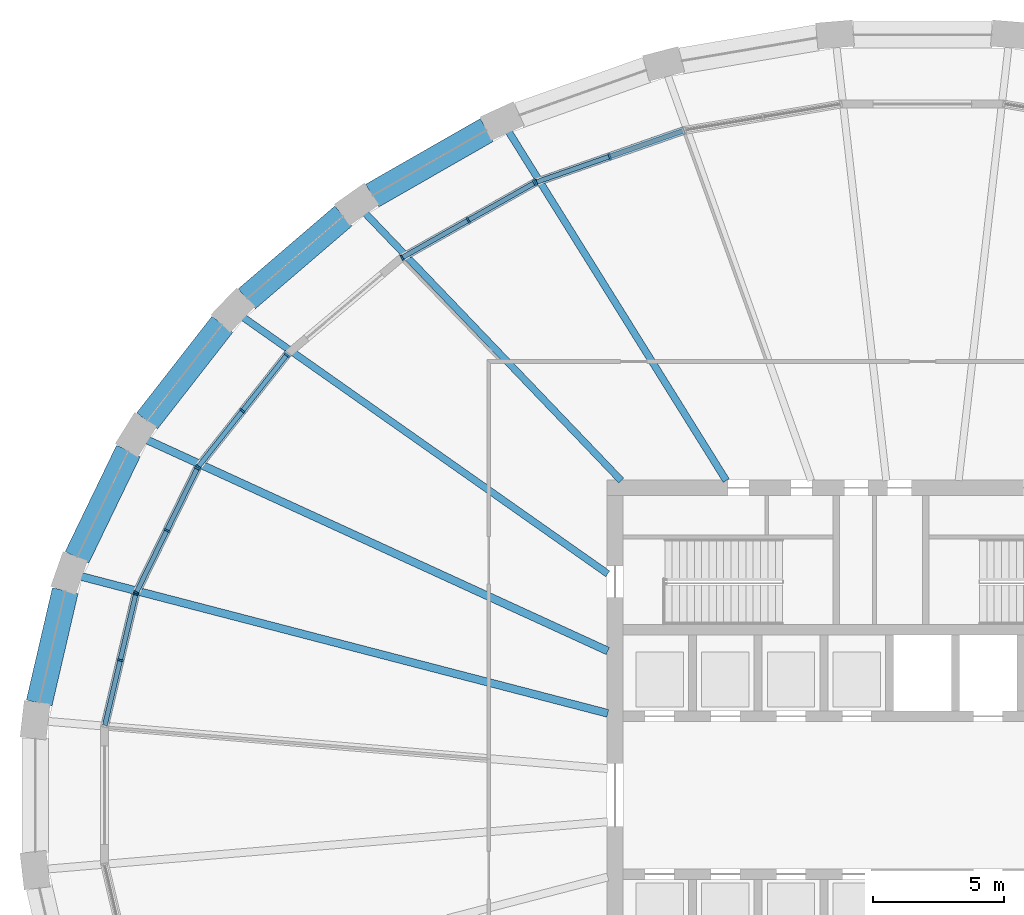
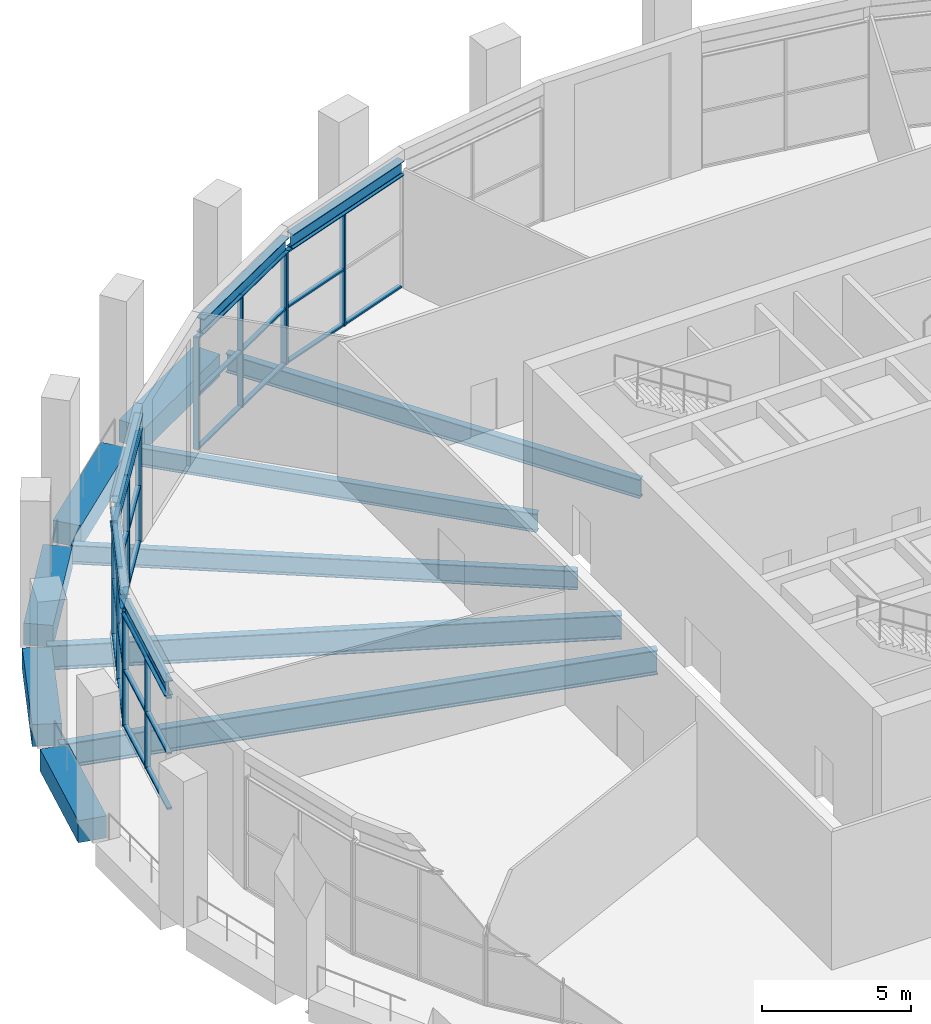
# One storey, part 6 of 19: 41 members, 15 beams, 5 elements without a shape of their own.
"""IFC4 building model written with IfcOpenShell, lengths in metres."""

from ifc_helpers import new_model, si_unit, direction, frame, origin, origin_2d, place, context, subcontext, project, spatial, rectangle, i_section, extrude, material, material_profile, profile_set, type_object, element, aggregate, save


model = new_model("IFC4")

# Units and contexts
model_context = context("Model", 3, precision=1e-05, world=origin(), true_north=direction((0.0, 1.0)))
body_context = subcontext(model_context, "Body", "Model", "MODEL_VIEW")
ifc_project = project(units=[si_unit("LENGTHUNIT", "METRE"), si_unit("AREAUNIT", "SQUARE_METRE"), si_unit("VOLUMEUNIT", "CUBIC_METRE"), si_unit("PLANEANGLEUNIT", "RADIAN"), si_unit("MASSUNIT", "GRAM", prefix="KILO")], contexts=[model_context])

# Site, building, storey
site_placement = place(None, origin())
site = spatial("IfcSite", under=ifc_project, at=site_placement, CompositionType="ELEMENT")
building_placement = place(site_placement, origin())
building = spatial("IfcBuilding", under=site, at=building_placement, Name="Halqa Exchange Tower", CompositionType="ELEMENT")
storey_placement = place(building_placement, frame((0.0, 0.0, 167.5)))
storey = spatial("IfcBuildingStorey", under=building, at=storey_placement, Name="L38", CompositionType="ELEMENT", Elevation=167.5)

# Beams
ifc_material_1 = material(Name="Steel S355", Category="steel")
ifc_material_profile_1 = material_profile(ifc_material_1, i_section(OverallWidth=0.300048828125, OverallDepth=0.989990234375, WebThickness=0.0166015625, FlangeThickness=0.031005859375, FilletRadius=0.030029296875, at=origin_2d()), Name="HEA 1000")
ifc_profile_set_1 = profile_set([ifc_material_profile_1], Name="Steel S355")
beam_type_1 = type_object("IfcBeamType", Name="Floor beam HEA 1000", PredefinedType="BEAM", material=ifc_profile_set_1)
beam_1_placement = place(storey_placement, frame((-11.972412109375, 5.4853515625, -0.844970703125), z_axis=(-0.909131678644, 0.416508812495, 0.0), x_axis=(-0.416508812495, -0.909131678644, 0.0)))
element("IfcBeam", 1, at=beam_1_placement, inside=storey, type_object=beam_type_1, Name="Radial beam 14", PredefinedType="BEAM", context=body_context, shape_type="SweptSolid", body=[
    extrude(i_section(OverallWidth=0.300048828125, OverallDepth=0.989990234375, WebThickness=0.0166015625, FlangeThickness=0.031005859375, FilletRadius=0.030029296875, at=origin_2d()), origin(), (0.0, 0.0, 1.0), 19.36083984375),
])
ifc_material_profile_2 = material_profile(ifc_material_1, i_section(OverallWidth=0.300048828125, OverallDepth=1.0, WebThickness=0.01904296875, FlangeThickness=0.035888671875, FilletRadius=0.030029296875, at=origin_2d()), Name="HEB 1000")
ifc_profile_set_2 = profile_set([ifc_material_profile_2], Name="Steel S355")
beam_type_2 = type_object("IfcBeamType", Name="Floor beam HEB 1000", PredefinedType="BEAM", material=ifc_profile_set_2)
beam_2_placement = place(storey_placement, frame((-11.97119140625, 3.11279296875, -0.85009765625), z_axis=(-0.967821534715, 0.251637590478, 0.0), x_axis=(-0.251637590478, -0.967821534715, 0.0)))
element("IfcBeam", 2, at=beam_2_placement, inside=storey, type_object=beam_type_2, Name="Radial beam 15", PredefinedType="BEAM", context=body_context, shape_type="SweptSolid", body=[
    extrude(i_section(OverallWidth=0.300048828125, OverallDepth=1.0, WebThickness=0.01904296875, FlangeThickness=0.035888671875, FilletRadius=0.030029296875, at=origin_2d()), origin(), (0.0, 0.0, 1.0), 20.79638671875),
])
ifc_material_profile_3 = material_profile(ifc_material_1, i_section(OverallWidth=0.264892578125, OverallDepth=0.7529296875, WebThickness=0.01318359375, FlangeThickness=0.01708984375, FilletRadius=0.01708984375, at=origin_2d()), Name="IPE 750x147")
ifc_profile_set_3 = profile_set([ifc_material_profile_3], Name="Steel S355")
beam_type_3 = type_object("IfcBeamType", Name="Floor beam IPE 750x147", PredefinedType="BEAM", material=ifc_profile_set_3)
beam_3_placement = place(storey_placement, frame((-11.462890625, 11.97216796875, -0.7265625), z_axis=(-0.691574751558, 0.722304896153, 0.0), x_axis=(-0.722304896153, -0.691574751558, 0.0)))
element("IfcBeam", 3, at=beam_3_placement, inside=storey, type_object=beam_type_3, Name="Radial beam 12", PredefinedType="BEAM", context=body_context, shape_type="SweptSolid", body=[
    extrude(i_section(OverallWidth=0.264892578125, OverallDepth=0.7529296875, WebThickness=0.01318359375, FlangeThickness=0.01708984375, FilletRadius=0.01708984375, at=origin_2d()), origin(), (0.0, 0.0, 1.0), 14.165283203125),
])
ifc_material_profile_4 = material_profile(ifc_material_1, i_section(OverallWidth=0.26806640625, OverallDepth=0.77001953125, WebThickness=0.015625, FlangeThickness=0.025390625, FilletRadius=0.01708984375, at=origin_2d()), Name="IPE 750x196")
ifc_profile_set_4 = profile_set([ifc_material_profile_4], Name="Steel S355")
beam_type_4 = type_object("IfcBeamType", Name="Floor beam IPE 750x196", PredefinedType="BEAM", material=ifc_profile_set_4)
beam_4_placement = place(storey_placement, frame((-7.46533203125, 11.971435546875, -0.735107421875), z_axis=(-0.529139539114, 0.848534824357, 0.0), x_axis=(-0.848534824357, -0.529139539114, 0.0)))
element("IfcBeam", 4, at=beam_4_placement, inside=storey, type_object=beam_type_4, Name="Radial beam 11", PredefinedType="BEAM", context=body_context, shape_type="SweptSolid", body=[
    extrude(i_section(OverallWidth=0.26806640625, OverallDepth=0.77001953125, WebThickness=0.015625, FlangeThickness=0.025390625, FilletRadius=0.01708984375, at=origin_2d()), origin(), (0.0, 0.0, 1.0), 15.73486328125),
])
beam_5_placement = place(storey_placement, frame((-11.971435546875, 8.421142578125, -0.735107421875), z_axis=(-0.817908264437, 0.575348651659, 0.0), x_axis=(-0.575348651659, -0.817908264437, 0.0)))
element("IfcBeam", 5, at=beam_5_placement, inside=storey, type_object=beam_type_4, Name="Radial beam 13", PredefinedType="BEAM", context=body_context, shape_type="SweptSolid", body=[
    extrude(i_section(OverallWidth=0.26806640625, OverallDepth=0.77001953125, WebThickness=0.015625, FlangeThickness=0.025390625, FilletRadius=0.01708984375, at=origin_2d()), origin(), (0.0, 0.0, 1.0), 17.04638671875),
])
ifc_material_profile_5 = material_profile(ifc_material_1, i_section(OverallWidth=0.300048828125, OverallDepth=0.60009765625, WebThickness=0.015380859375, FlangeThickness=0.030029296875, FilletRadius=0.027099609375, at=origin_2d()), Name="HEB 600")
ifc_profile_set_5 = profile_set([ifc_material_profile_5], Name="Steel S355")
beam_type_5 = type_object("IfcBeamType", Name="Head beam HEB 600", PredefinedType="BEAM", material=ifc_profile_set_5)
beam_6_placement = place(storey_placement, frame((-9.06640625, 25.29150390625, 4.89990234375), z_axis=(-0.943946157734, -0.330099456679, 0.0), x_axis=(0.330099456679, -0.943946157734, 0.0)))
element("IfcBeam", 6, at=beam_6_placement, inside=storey, type_object=beam_type_5, Name="Spandrel head beam 10", PredefinedType="BEAM", context=body_context, shape_type="SweptSolid", body=[
    extrude(i_section(OverallWidth=0.300048828125, OverallDepth=0.60009765625, WebThickness=0.015380859375, FlangeThickness=0.030029296875, FilletRadius=0.027099609375, at=origin_2d()), origin(), (0.0, 0.0, 1.0), 5.719970703125),
])
beam_7_placement = place(storey_placement, frame((-14.68212890625, 23.33837890625, 4.89990234375), z_axis=(-0.870952166168, -0.491367809535, 0.0), x_axis=(0.491367809535, -0.870952166168, 0.0)))
element("IfcBeam", 7, at=beam_7_placement, inside=storey, type_object=beam_type_5, Name="Spandrel head beam 11", PredefinedType="BEAM", context=body_context, shape_type="SweptSolid", body=[
    extrude(i_section(OverallWidth=0.300048828125, OverallDepth=0.60009765625, WebThickness=0.015380859375, FlangeThickness=0.030029296875, FilletRadius=0.027099609375, at=origin_2d()), origin(), (0.0, 0.0, 1.0), 5.60205078125),
])
beam_8_placement = place(storey_placement, frame((-24.11865234375, 16.83251953125, 4.89990234375), z_axis=(-0.620595231128, -0.784131085407, 0.0), x_axis=(0.784131085407, -0.620595231128, 0.0)))
element("IfcBeam", 8, at=beam_8_placement, inside=storey, type_object=beam_type_5, Name="Spandrel head beam 13", PredefinedType="BEAM", context=body_context, shape_type="SweptSolid", body=[
    extrude(i_section(OverallWidth=0.300048828125, OverallDepth=0.60009765625, WebThickness=0.015380859375, FlangeThickness=0.030029296875, FilletRadius=0.027099609375, at=origin_2d()), origin(), (0.0, 0.0, 1.0), 5.283447265625),
])
beam_9_placement = place(storey_placement, frame((-27.562255859375, 12.490234375, 4.89990234375), z_axis=(-0.440464064744, -0.897770242138, 0.0), x_axis=(0.897770242138, -0.440464064744, 0.0)))
element("IfcBeam", 9, at=beam_9_placement, inside=storey, type_object=beam_type_5, Name="Spandrel head beam 14", PredefinedType="BEAM", context=body_context, shape_type="SweptSolid", body=[
    extrude(i_section(OverallWidth=0.300048828125, OverallDepth=0.60009765625, WebThickness=0.015380859375, FlangeThickness=0.030029296875, FilletRadius=0.027099609375, at=origin_2d()), origin(), (0.0, 0.0, 1.0), 5.131591796875),
])
beam_10_placement = place(storey_placement, frame((-29.92919921875, 7.652587890625, 4.89990234375), z_axis=(-0.229295960918, -0.973356749762, 0.0), x_axis=(0.973356749762, -0.229295960918, 0.0)))
element("IfcBeam", 10, at=beam_10_placement, inside=storey, type_object=beam_type_5, Name="Spandrel head beam 15", PredefinedType="BEAM", context=body_context, shape_type="SweptSolid", body=[
    extrude(i_section(OverallWidth=0.300048828125, OverallDepth=0.60009765625, WebThickness=0.015380859375, FlangeThickness=0.030029296875, FilletRadius=0.027099609375, at=origin_2d()), origin(), (0.0, 0.0, 1.0), 5.037353515625),
])
ifc_material_2 = material(Name="Concrete C60/75", Category="concrete")
ifc_material_profile_6 = material_profile(ifc_material_2, rectangle(XDim=1.0, YDim=0.89990234375, at=origin_2d()), Name="1000 x 900")
ifc_profile_set_6 = profile_set([ifc_material_profile_6], Name="Concrete C60/75")
beam_type_6 = type_object("IfcBeamType", Name="RC spandrel beam 1000 x 900 C60/75", PredefinedType="SPANDREL", material=ifc_profile_set_6)
beam_11_placement = place(storey_placement, frame((-16.5751953125, 25.30712890625, -0.449951171875), z_axis=(-0.867743165303, -0.497012876161, 0.0), x_axis=(0.497012876161, -0.867743165303, 0.0)))
element("IfcBeam", 11, at=beam_11_placement, inside=storey, type_object=beam_type_6, Name="Spandrel 11", PredefinedType="SPANDREL", context=body_context, shape_type="SweptSolid", body=[
    extrude(rectangle(XDim=1.0, YDim=0.89990234375, at=origin_2d()), origin(), (0.0, 0.0, 1.0), 5.022705078125),
])
beam_12_placement = place(storey_placement, frame((-22.031005859375, 22.03662109375, -0.449951171875), z_axis=(-0.759260160399, -0.650787222394, 0.0), x_axis=(0.650787222394, -0.759260160399, 0.0)))
element("IfcBeam", 12, at=beam_12_placement, inside=storey, type_object=beam_type_6, Name="Spandrel 12", PredefinedType="SPANDREL", context=body_context, shape_type="SweptSolid", body=[
    extrude(rectangle(XDim=1.0, YDim=0.89990234375, at=origin_2d()), origin(), (0.0, 0.0, 1.0), 4.843505859375),
])
beam_13_placement = place(storey_placement, frame((-26.63623046875, 17.9130859375, -0.449951171875), z_axis=(-0.614796515977, -0.78868577009, 0.0), x_axis=(0.78868577009, -0.614796515977, 0.0)))
element("IfcBeam", 13, at=beam_13_placement, inside=storey, type_object=beam_type_6, Name="Spandrel 13", PredefinedType="SPANDREL", context=body_context, shape_type="SweptSolid", body=[
    extrude(rectangle(XDim=1.0, YDim=0.89990234375, at=origin_2d()), origin(), (0.0, 0.0, 1.0), 4.658447265625),
])
beam_14_placement = place(storey_placement, frame((-30.20947265625, 13.09814453125, -0.449951171875), z_axis=(-0.435099717308, -0.900382272148, 0.0), x_axis=(0.900382272148, -0.435099717308, 0.0)))
element("IfcBeam", 14, at=beam_14_placement, inside=storey, type_object=beam_type_6, Name="Spandrel 14", PredefinedType="SPANDREL", context=body_context, shape_type="SweptSolid", body=[
    extrude(rectangle(XDim=1.0, YDim=0.89990234375, at=origin_2d()), origin(), (0.0, 0.0, 1.0), 4.497314453125),
])
beam_15_placement = place(storey_placement, frame((-32.613525390625, 7.780517578125, -0.449951171875), z_axis=(-0.226050480348, -0.974115588795, 0.0), x_axis=(0.974115588795, -0.226050480348, 0.0)))
element("IfcBeam", 15, at=beam_15_placement, inside=storey, type_object=beam_type_6, Name="Spandrel 15", PredefinedType="SPANDREL", context=body_context, shape_type="SweptSolid", body=[
    extrude(rectangle(XDim=1.0, YDim=0.89990234375, at=origin_2d()), origin(), (0.0, 0.0, 1.0), 4.385986328125),
])

# Curtain wall, members
ifc_material_3 = material(Name="Anodised aluminium and clear glass", Category="aluminium")
curtain_wall_type = type_object("IfcCurtainWallType", Name="Sky lobby glazing", PredefinedType="NOTDEFINED", material=ifc_material_3)
curtain_wall_1_placement = place(storey_placement, origin())
curtain_wall_1 = element("IfcCurtainWall", 16, at=curtain_wall_1_placement, inside=storey, type_object=curtain_wall_type, Name="Sky lobby glazing run G10", PredefinedType="NOTDEFINED")
ifc_material_4 = material(Name="Anodised aluminium", Category="aluminium")
ifc_material_profile_7 = material_profile(ifc_material_4, rectangle(XDim=0.219970703125, YDim=0.070068359375, at=origin_2d()), Name="AL 70x220")
ifc_profile_set_7 = profile_set([ifc_material_profile_7], Name="Anodised aluminium")
member_type_1 = type_object("IfcMemberType", Name="Sky lobby glazing mullion 70 x 220", PredefinedType="MULLION", material=ifc_profile_set_7)
member_1_placement = place(storey_placement, frame((-11.90185546875, 24.2998046875, 0.0), z_axis=(0.0, 0.0, 1.0), x_axis=(0.330100113683, -0.943945927978, 0.0)))
member_1 = element("IfcMember", 17, at=member_1_placement, type_object=member_type_1, Name="G10 mullion 2", PredefinedType="MULLION", context=body_context, shape_type="SweptSolid", body=[
    extrude(rectangle(XDim=0.219970703125, YDim=0.070068359375, at=origin_2d()), origin(), (0.0, 0.0, 1.0), 4.60009765625),
])
member_2_placement = place(storey_placement, frame((-14.699462890625, 23.321533203125, 0.0), z_axis=(0.0, 0.0, 1.0), x_axis=(0.330100113683, -0.943945927978, 0.0)))
member_2 = element("IfcMember", 18, at=member_2_placement, type_object=member_type_1, Name="G10 mullion 3", PredefinedType="MULLION", context=body_context, shape_type="SweptSolid", body=[
    extrude(rectangle(XDim=0.219970703125, YDim=0.070068359375, at=origin_2d()), origin(), (0.0, 0.0, 1.0), 4.60009765625),
])

curtain_wall_2_placement = place(storey_placement, origin())
curtain_wall_2 = element("IfcCurtainWall", 19, at=curtain_wall_2_placement, inside=storey, type_object=curtain_wall_type, Name="Sky lobby glazing run G11", PredefinedType="NOTDEFINED")
member_3_placement = place(storey_placement, frame((-14.762939453125, 23.292724609375, 0.0), z_axis=(0.0, 0.0, 1.0), x_axis=(0.491353762941, -0.87096009073, 0.0)))
member_3 = element("IfcMember", 20, at=member_3_placement, type_object=member_type_1, Name="G11 mullion 1", PredefinedType="MULLION", context=body_context, shape_type="SweptSolid", body=[
    extrude(rectangle(XDim=0.219970703125, YDim=0.070068359375, at=origin_2d()), origin(), (0.0, 0.0, 1.0), 4.60009765625),
])
member_4_placement = place(storey_placement, frame((-17.28076171875, 21.872314453125, 0.0), z_axis=(0.0, 0.0, 1.0), x_axis=(0.491353762941, -0.87096009073, 0.0)))
member_4 = element("IfcMember", 21, at=member_4_placement, type_object=member_type_1, Name="G11 mullion 2", PredefinedType="MULLION", context=body_context, shape_type="SweptSolid", body=[
    extrude(rectangle(XDim=0.219970703125, YDim=0.070068359375, at=origin_2d()), origin(), (0.0, 0.0, 1.0), 4.60009765625),
])
member_5_placement = place(storey_placement, frame((-19.798583984375, 20.451904296875, 0.0), z_axis=(0.0, 0.0, 1.0), x_axis=(0.491353762941, -0.87096009073, 0.0)))
member_5 = element("IfcMember", 22, at=member_5_placement, type_object=member_type_1, Name="G11 mullion 3", PredefinedType="MULLION", context=body_context, shape_type="SweptSolid", body=[
    extrude(rectangle(XDim=0.219970703125, YDim=0.070068359375, at=origin_2d()), origin(), (0.0, 0.0, 1.0), 4.60009765625),
])

curtain_wall_3_placement = place(storey_placement, origin())
curtain_wall_3 = element("IfcCurtainWall", 23, at=curtain_wall_3_placement, inside=storey, type_object=curtain_wall_type, Name="Sky lobby glazing run G13", PredefinedType="NOTDEFINED")
member_6_placement = place(storey_placement, frame((-24.18701171875, 16.746337890625, 0.0), z_axis=(0.0, 0.0, 1.0), x_axis=(0.784140319926, -0.620583563001, 0.0)))
member_6 = element("IfcMember", 24, at=member_6_placement, type_object=member_type_1, Name="G13 mullion 1", PredefinedType="MULLION", context=body_context, shape_type="SweptSolid", body=[
    extrude(rectangle(XDim=0.219970703125, YDim=0.070068359375, at=origin_2d()), origin(), (0.0, 0.0, 1.0), 4.60009765625),
])
member_7_placement = place(storey_placement, frame((-25.86962890625, 14.6201171875, 0.0), z_axis=(0.0, 0.0, 1.0), x_axis=(0.784140319926, -0.620583563001, 0.0)))
member_7 = element("IfcMember", 25, at=member_7_placement, type_object=member_type_1, Name="G13 mullion 2", PredefinedType="MULLION", context=body_context, shape_type="SweptSolid", body=[
    extrude(rectangle(XDim=0.219970703125, YDim=0.070068359375, at=origin_2d()), origin(), (0.0, 0.0, 1.0), 4.60009765625),
])
member_8_placement = place(storey_placement, frame((-27.55224609375, 12.493896484375, 0.0), z_axis=(0.0, 0.0, 1.0), x_axis=(0.784140319926, -0.620583563001, 0.0)))
member_8 = element("IfcMember", 26, at=member_8_placement, type_object=member_type_1, Name="G13 mullion 3", PredefinedType="MULLION", context=body_context, shape_type="SweptSolid", body=[
    extrude(rectangle(XDim=0.219970703125, YDim=0.070068359375, at=origin_2d()), origin(), (0.0, 0.0, 1.0), 4.60009765625),
])

curtain_wall_4_placement = place(storey_placement, origin())
curtain_wall_4 = element("IfcCurtainWall", 27, at=curtain_wall_4_placement, inside=storey, type_object=curtain_wall_type, Name="Sky lobby glazing run G14", PredefinedType="NOTDEFINED")
member_9_placement = place(storey_placement, frame((-27.58935546875, 12.43505859375, 0.0), z_axis=(0.0, 0.0, 1.0), x_axis=(0.897780317672, -0.440443527823, 0.0)))
member_9 = element("IfcMember", 28, at=member_9_placement, type_object=member_type_1, Name="G14 mullion 1", PredefinedType="MULLION", context=body_context, shape_type="SweptSolid", body=[
    extrude(rectangle(XDim=0.219970703125, YDim=0.070068359375, at=origin_2d()), origin(), (0.0, 0.0, 1.0), 4.60009765625),
])
member_10_placement = place(storey_placement, frame((-28.74853515625, 10.072265625, 0.0), z_axis=(0.0, 0.0, 1.0), x_axis=(0.897780317672, -0.440443527823, 0.0)))
member_10 = element("IfcMember", 29, at=member_10_placement, type_object=member_type_1, Name="G14 mullion 2", PredefinedType="MULLION", context=body_context, shape_type="SweptSolid", body=[
    extrude(rectangle(XDim=0.219970703125, YDim=0.070068359375, at=origin_2d()), origin(), (0.0, 0.0, 1.0), 4.60009765625),
])
member_11_placement = place(storey_placement, frame((-29.90771484375, 7.709716796875, 0.0), z_axis=(0.0, 0.0, 1.0), x_axis=(0.897780317672, -0.440443527823, 0.0)))
member_11 = element("IfcMember", 30, at=member_11_placement, type_object=member_type_1, Name="G14 mullion 3", PredefinedType="MULLION", context=body_context, shape_type="SweptSolid", body=[
    extrude(rectangle(XDim=0.219970703125, YDim=0.070068359375, at=origin_2d()), origin(), (0.0, 0.0, 1.0), 4.60009765625),
])

curtain_wall_5_placement = place(storey_placement, origin())
curtain_wall_5 = element("IfcCurtainWall", 31, at=curtain_wall_5_placement, inside=storey, type_object=curtain_wall_type, Name="Sky lobby glazing run G15", PredefinedType="NOTDEFINED")
member_12_placement = place(storey_placement, frame((-29.93115234375, 7.64404296875, 0.0), z_axis=(0.0, 0.0, 1.0), x_axis=(0.973351612825, -0.229317766019, 0.0)))
member_12 = element("IfcMember", 32, at=member_12_placement, type_object=member_type_1, Name="G15 mullion 1", PredefinedType="MULLION", context=body_context, shape_type="SweptSolid", body=[
    extrude(rectangle(XDim=0.219970703125, YDim=0.070068359375, at=origin_2d()), origin(), (0.0, 0.0, 1.0), 4.60009765625),
])
member_13_placement = place(storey_placement, frame((-30.522216796875, 5.135498046875, 0.0), z_axis=(0.0, 0.0, 1.0), x_axis=(0.973351612825, -0.229317766019, 0.0)))
member_13 = element("IfcMember", 33, at=member_13_placement, type_object=member_type_1, Name="G15 mullion 2", PredefinedType="MULLION", context=body_context, shape_type="SweptSolid", body=[
    extrude(rectangle(XDim=0.219970703125, YDim=0.070068359375, at=origin_2d()), origin(), (0.0, 0.0, 1.0), 4.60009765625),
])

# Member
ifc_material_profile_8 = material_profile(ifc_material_4, rectangle(XDim=0.179931640625, YDim=0.070068359375, at=origin_2d()), Name="AL 70x180")
ifc_profile_set_8 = profile_set([ifc_material_profile_8], Name="Anodised aluminium")
member_type_2 = type_object("IfcMemberType", Name="Sky lobby glazing transom 70 x 180", PredefinedType="USERDEFINED", material=ifc_profile_set_8)
member_14_placement = place(storey_placement, frame((-9.137451171875, 25.2666015625, 0.034912109375), z_axis=(-0.943931992269, -0.330139961186, 0.0), x_axis=(0.330139961186, -0.943931992269, 0.0)))
member_14 = element("IfcMember", 34, at=member_14_placement, type_object=member_type_2, Name="G10 transom 1.1", ObjectType="TRANSOM", PredefinedType="USERDEFINED", context=body_context, shape_type="SweptSolid", body=[
    extrude(rectangle(XDim=0.179931640625, YDim=0.070068359375, at=origin_2d()), origin(), (0.0, 0.0, 1.0), 2.893798828125),
])

member_15_placement = place(storey_placement, frame((-11.93505859375, 24.2880859375, 0.034912109375), z_axis=(-0.943958282215, -0.330064783699, 0.0), x_axis=(0.330064783699, -0.943958282215, 0.0)))
member_15 = element("IfcMember", 35, at=member_15_placement, type_object=member_type_2, Name="G10 transom 2.1", ObjectType="TRANSOM", PredefinedType="USERDEFINED", context=body_context, shape_type="SweptSolid", body=[
    extrude(rectangle(XDim=0.179931640625, YDim=0.070068359375, at=origin_2d()), origin(), (0.0, 0.0, 1.0), 2.8935546875),
])

member_16_placement = place(storey_placement, frame((-11.93505859375, 24.2880859375, 2.300048828125), z_axis=(-0.943958282215, -0.330064783699, 0.0), x_axis=(0.330064783699, -0.943958282215, 0.0)))
member_16 = element("IfcMember", 36, at=member_16_placement, type_object=member_type_2, Name="G10 transom 2.2", ObjectType="TRANSOM", PredefinedType="USERDEFINED", context=body_context, shape_type="SweptSolid", body=[
    extrude(rectangle(XDim=0.179931640625, YDim=0.070068359375, at=origin_2d()), origin(), (0.0, 0.0, 1.0), 2.8935546875),
])

member_17_placement = place(storey_placement, frame((-11.93505859375, 24.2880859375, 4.56494140625), z_axis=(-0.943958282215, -0.330064783699, 0.0), x_axis=(0.330064783699, -0.943958282215, 0.0)))
member_17 = element("IfcMember", 37, at=member_17_placement, type_object=member_type_2, Name="G10 transom 2.3", ObjectType="TRANSOM", PredefinedType="USERDEFINED", context=body_context, shape_type="SweptSolid", body=[
    extrude(rectangle(XDim=0.179931640625, YDim=0.070068359375, at=origin_2d()), origin(), (0.0, 0.0, 1.0), 2.8935546875),
])

aggregate(curtain_wall_1, [member_1, member_2, member_14, member_15, member_16, member_17])

member_18_placement = place(storey_placement, frame((-14.79345703125, 23.275390625, 0.034912109375), z_axis=(-0.870962322605, -0.49134980676, 0.0), x_axis=(0.49134980676, -0.870962322605, 0.0)))
member_18 = element("IfcMember", 38, at=member_18_placement, type_object=member_type_2, Name="G11 transom 1.1", ObjectType="TRANSOM", PredefinedType="USERDEFINED", context=body_context, shape_type="SweptSolid", body=[
    extrude(rectangle(XDim=0.179931640625, YDim=0.070068359375, at=origin_2d()), origin(), (0.0, 0.0, 1.0), 2.82080078125),
])

member_19_placement = place(storey_placement, frame((-14.79345703125, 23.275390625, 2.300048828125), z_axis=(-0.870962322605, -0.49134980676, 0.0), x_axis=(0.49134980676, -0.870962322605, 0.0)))
member_19 = element("IfcMember", 39, at=member_19_placement, type_object=member_type_2, Name="G11 transom 1.2", ObjectType="TRANSOM", PredefinedType="USERDEFINED", context=body_context, shape_type="SweptSolid", body=[
    extrude(rectangle(XDim=0.179931640625, YDim=0.070068359375, at=origin_2d()), origin(), (0.0, 0.0, 1.0), 2.82080078125),
])

member_20_placement = place(storey_placement, frame((-14.79345703125, 23.275390625, 4.56494140625), z_axis=(-0.870962322605, -0.49134980676, 0.0), x_axis=(0.49134980676, -0.870962322605, 0.0)))
member_20 = element("IfcMember", 40, at=member_20_placement, type_object=member_type_2, Name="G11 transom 1.3", ObjectType="TRANSOM", PredefinedType="USERDEFINED", context=body_context, shape_type="SweptSolid", body=[
    extrude(rectangle(XDim=0.179931640625, YDim=0.070068359375, at=origin_2d()), origin(), (0.0, 0.0, 1.0), 2.82080078125),
])

member_21_placement = place(storey_placement, frame((-17.311279296875, 21.855224609375, 0.034912109375), z_axis=(-0.870925282467, -0.491415457999, 0.0), x_axis=(0.491415457999, -0.870925282467, 0.0)))
member_21 = element("IfcMember", 41, at=member_21_placement, type_object=member_type_2, Name="G11 transom 2.1", ObjectType="TRANSOM", PredefinedType="USERDEFINED", context=body_context, shape_type="SweptSolid", body=[
    extrude(rectangle(XDim=0.179931640625, YDim=0.070068359375, at=origin_2d()), origin(), (0.0, 0.0, 1.0), 2.82080078125),
])

member_22_placement = place(storey_placement, frame((-17.311279296875, 21.855224609375, 2.300048828125), z_axis=(-0.870925282467, -0.491415457999, 0.0), x_axis=(0.491415457999, -0.870925282467, 0.0)))
member_22 = element("IfcMember", 42, at=member_22_placement, type_object=member_type_2, Name="G11 transom 2.2", ObjectType="TRANSOM", PredefinedType="USERDEFINED", context=body_context, shape_type="SweptSolid", body=[
    extrude(rectangle(XDim=0.179931640625, YDim=0.070068359375, at=origin_2d()), origin(), (0.0, 0.0, 1.0), 2.82080078125),
])

member_23_placement = place(storey_placement, frame((-17.311279296875, 21.855224609375, 4.56494140625), z_axis=(-0.870925282467, -0.491415457999, 0.0), x_axis=(0.491415457999, -0.870925282467, 0.0)))
member_23 = element("IfcMember", 43, at=member_23_placement, type_object=member_type_2, Name="G11 transom 2.3", ObjectType="TRANSOM", PredefinedType="USERDEFINED", context=body_context, shape_type="SweptSolid", body=[
    extrude(rectangle(XDim=0.179931640625, YDim=0.070068359375, at=origin_2d()), origin(), (0.0, 0.0, 1.0), 2.82080078125),
])

aggregate(curtain_wall_2, [member_3, member_4, member_5, member_18, member_19, member_20, member_21, member_22, member_23])

member_24_placement = place(storey_placement, frame((-24.208740234375, 16.71875, 0.034912109375), z_axis=(-0.620560889175, -0.78415826389, 0.0), x_axis=(0.78415826389, -0.620560889175, 0.0)))
member_24 = element("IfcMember", 44, at=member_24_placement, type_object=member_type_2, Name="G13 transom 1.1", ObjectType="TRANSOM", PredefinedType="USERDEFINED", context=body_context, shape_type="SweptSolid", body=[
    extrude(rectangle(XDim=0.179931640625, YDim=0.070068359375, at=origin_2d()), origin(), (0.0, 0.0, 1.0), 2.641357421875),
])

member_25_placement = place(storey_placement, frame((-24.208740234375, 16.71875, 2.300048828125), z_axis=(-0.620560889175, -0.78415826389, 0.0), x_axis=(0.78415826389, -0.620560889175, 0.0)))
member_25 = element("IfcMember", 45, at=member_25_placement, type_object=member_type_2, Name="G13 transom 1.2", ObjectType="TRANSOM", PredefinedType="USERDEFINED", context=body_context, shape_type="SweptSolid", body=[
    extrude(rectangle(XDim=0.179931640625, YDim=0.070068359375, at=origin_2d()), origin(), (0.0, 0.0, 1.0), 2.641357421875),
])

member_26_placement = place(storey_placement, frame((-24.208740234375, 16.71875, 4.56494140625), z_axis=(-0.620560889175, -0.78415826389, 0.0), x_axis=(0.78415826389, -0.620560889175, 0.0)))
member_26 = element("IfcMember", 46, at=member_26_placement, type_object=member_type_2, Name="G13 transom 1.3", ObjectType="TRANSOM", PredefinedType="USERDEFINED", context=body_context, shape_type="SweptSolid", body=[
    extrude(rectangle(XDim=0.179931640625, YDim=0.070068359375, at=origin_2d()), origin(), (0.0, 0.0, 1.0), 2.641357421875),
])

member_27_placement = place(storey_placement, frame((-25.891357421875, 14.5927734375, 0.034912109375), z_axis=(-0.620560889175, -0.78415826389, 0.0), x_axis=(0.78415826389, -0.620560889175, 0.0)))
member_27 = element("IfcMember", 47, at=member_27_placement, type_object=member_type_2, Name="G13 transom 2.1", ObjectType="TRANSOM", PredefinedType="USERDEFINED", context=body_context, shape_type="SweptSolid", body=[
    extrude(rectangle(XDim=0.179931640625, YDim=0.070068359375, at=origin_2d()), origin(), (0.0, 0.0, 1.0), 2.641357421875),
])

member_28_placement = place(storey_placement, frame((-25.891357421875, 14.5927734375, 2.300048828125), z_axis=(-0.620560889175, -0.78415826389, 0.0), x_axis=(0.78415826389, -0.620560889175, 0.0)))
member_28 = element("IfcMember", 48, at=member_28_placement, type_object=member_type_2, Name="G13 transom 2.2", ObjectType="TRANSOM", PredefinedType="USERDEFINED", context=body_context, shape_type="SweptSolid", body=[
    extrude(rectangle(XDim=0.179931640625, YDim=0.070068359375, at=origin_2d()), origin(), (0.0, 0.0, 1.0), 2.641357421875),
])

member_29_placement = place(storey_placement, frame((-25.891357421875, 14.5927734375, 4.56494140625), z_axis=(-0.620560889175, -0.78415826389, 0.0), x_axis=(0.78415826389, -0.620560889175, 0.0)))
member_29 = element("IfcMember", 49, at=member_29_placement, type_object=member_type_2, Name="G13 transom 2.3", ObjectType="TRANSOM", PredefinedType="USERDEFINED", context=body_context, shape_type="SweptSolid", body=[
    extrude(rectangle(XDim=0.179931640625, YDim=0.070068359375, at=origin_2d()), origin(), (0.0, 0.0, 1.0), 2.641357421875),
])

aggregate(curtain_wall_3, [member_6, member_7, member_8, member_24, member_25, member_26, member_27, member_28, member_29])

member_30_placement = place(storey_placement, frame((-27.604736328125, 12.403564453125, 0.034912109375), z_axis=(-0.440491663702, -0.897756701011, 0.0), x_axis=(0.897756701011, -0.440491663702, 0.0)))
member_30 = element("IfcMember", 50, at=member_30_placement, type_object=member_type_2, Name="G14 transom 1.1", ObjectType="TRANSOM", PredefinedType="USERDEFINED", context=body_context, shape_type="SweptSolid", body=[
    extrude(rectangle(XDim=0.179931640625, YDim=0.070068359375, at=origin_2d()), origin(), (0.0, 0.0, 1.0), 2.561767578125),
])

member_31_placement = place(storey_placement, frame((-27.604736328125, 12.403564453125, 2.300048828125), z_axis=(-0.440491663702, -0.897756701011, 0.0), x_axis=(0.897756701011, -0.440491663702, 0.0)))
member_31 = element("IfcMember", 51, at=member_31_placement, type_object=member_type_2, Name="G14 transom 1.2", ObjectType="TRANSOM", PredefinedType="USERDEFINED", context=body_context, shape_type="SweptSolid", body=[
    extrude(rectangle(XDim=0.179931640625, YDim=0.070068359375, at=origin_2d()), origin(), (0.0, 0.0, 1.0), 2.561767578125),
])

member_32_placement = place(storey_placement, frame((-27.604736328125, 12.403564453125, 4.56494140625), z_axis=(-0.440491663702, -0.897756701011, 0.0), x_axis=(0.897756701011, -0.440491663702, 0.0)))
member_32 = element("IfcMember", 52, at=member_32_placement, type_object=member_type_2, Name="G14 transom 1.3", ObjectType="TRANSOM", PredefinedType="USERDEFINED", context=body_context, shape_type="SweptSolid", body=[
    extrude(rectangle(XDim=0.179931640625, YDim=0.070068359375, at=origin_2d()), origin(), (0.0, 0.0, 1.0), 2.561767578125),
])

member_33_placement = place(storey_placement, frame((-28.763916015625, 10.041015625, 0.034912109375), z_axis=(-0.44045397845, -0.897775190606, 0.0), x_axis=(0.897775190606, -0.44045397845, 0.0)))
member_33 = element("IfcMember", 53, at=member_33_placement, type_object=member_type_2, Name="G14 transom 2.1", ObjectType="TRANSOM", PredefinedType="USERDEFINED", context=body_context, shape_type="SweptSolid", body=[
    extrude(rectangle(XDim=0.179931640625, YDim=0.070068359375, at=origin_2d()), origin(), (0.0, 0.0, 1.0), 2.56201171875),
])

member_34_placement = place(storey_placement, frame((-28.763916015625, 10.041015625, 2.300048828125), z_axis=(-0.44045397845, -0.897775190606, 0.0), x_axis=(0.897775190606, -0.44045397845, 0.0)))
member_34 = element("IfcMember", 54, at=member_34_placement, type_object=member_type_2, Name="G14 transom 2.2", ObjectType="TRANSOM", PredefinedType="USERDEFINED", context=body_context, shape_type="SweptSolid", body=[
    extrude(rectangle(XDim=0.179931640625, YDim=0.070068359375, at=origin_2d()), origin(), (0.0, 0.0, 1.0), 2.56201171875),
])

member_35_placement = place(storey_placement, frame((-28.763916015625, 10.041015625, 4.56494140625), z_axis=(-0.44045397845, -0.897775190606, 0.0), x_axis=(0.897775190606, -0.44045397845, 0.0)))
member_35 = element("IfcMember", 55, at=member_35_placement, type_object=member_type_2, Name="G14 transom 2.3", ObjectType="TRANSOM", PredefinedType="USERDEFINED", context=body_context, shape_type="SweptSolid", body=[
    extrude(rectangle(XDim=0.179931640625, YDim=0.070068359375, at=origin_2d()), origin(), (0.0, 0.0, 1.0), 2.56201171875),
])

aggregate(curtain_wall_4, [member_9, member_10, member_11, member_30, member_31, member_32, member_33, member_34, member_35])

member_36_placement = place(storey_placement, frame((-29.939208984375, 7.610107421875, 0.034912109375), z_axis=(-0.229316122458, -0.973352000039, 0.0), x_axis=(0.973352000039, -0.229316122458, 0.0)))
member_36 = element("IfcMember", 56, at=member_36_placement, type_object=member_type_2, Name="G15 transom 1.1", ObjectType="TRANSOM", PredefinedType="USERDEFINED", context=body_context, shape_type="SweptSolid", body=[
    extrude(rectangle(XDim=0.179931640625, YDim=0.070068359375, at=origin_2d()), origin(), (0.0, 0.0, 1.0), 2.50732421875),
])

member_37_placement = place(storey_placement, frame((-29.939208984375, 7.610107421875, 2.300048828125), z_axis=(-0.229316122458, -0.973352000039, 0.0), x_axis=(0.973352000039, -0.229316122458, 0.0)))
member_37 = element("IfcMember", 57, at=member_37_placement, type_object=member_type_2, Name="G15 transom 1.2", ObjectType="TRANSOM", PredefinedType="USERDEFINED", context=body_context, shape_type="SweptSolid", body=[
    extrude(rectangle(XDim=0.179931640625, YDim=0.070068359375, at=origin_2d()), origin(), (0.0, 0.0, 1.0), 2.50732421875),
])

member_38_placement = place(storey_placement, frame((-29.939208984375, 7.610107421875, 4.56494140625), z_axis=(-0.229316122458, -0.973352000039, 0.0), x_axis=(0.973352000039, -0.229316122458, 0.0)))
member_38 = element("IfcMember", 58, at=member_38_placement, type_object=member_type_2, Name="G15 transom 1.3", ObjectType="TRANSOM", PredefinedType="USERDEFINED", context=body_context, shape_type="SweptSolid", body=[
    extrude(rectangle(XDim=0.179931640625, YDim=0.070068359375, at=origin_2d()), origin(), (0.0, 0.0, 1.0), 2.50732421875),
])

member_39_placement = place(storey_placement, frame((-30.5302734375, 5.101318359375, 0.034912109375), z_axis=(-0.229316122458, -0.973352000039, 0.0), x_axis=(0.973352000039, -0.229316122458, 0.0)))
member_39 = element("IfcMember", 59, at=member_39_placement, type_object=member_type_2, Name="G15 transom 2.1", ObjectType="TRANSOM", PredefinedType="USERDEFINED", context=body_context, shape_type="SweptSolid", body=[
    extrude(rectangle(XDim=0.179931640625, YDim=0.070068359375, at=origin_2d()), origin(), (0.0, 0.0, 1.0), 2.50732421875),
])

member_40_placement = place(storey_placement, frame((-30.5302734375, 5.101318359375, 2.300048828125), z_axis=(-0.229316122458, -0.973352000039, 0.0), x_axis=(0.973352000039, -0.229316122458, 0.0)))
member_40 = element("IfcMember", 60, at=member_40_placement, type_object=member_type_2, Name="G15 transom 2.2", ObjectType="TRANSOM", PredefinedType="USERDEFINED", context=body_context, shape_type="SweptSolid", body=[
    extrude(rectangle(XDim=0.179931640625, YDim=0.070068359375, at=origin_2d()), origin(), (0.0, 0.0, 1.0), 2.50732421875),
])

member_41_placement = place(storey_placement, frame((-30.5302734375, 5.101318359375, 4.56494140625), z_axis=(-0.229316122458, -0.973352000039, 0.0), x_axis=(0.973352000039, -0.229316122458, 0.0)))
member_41 = element("IfcMember", 61, at=member_41_placement, type_object=member_type_2, Name="G15 transom 2.3", ObjectType="TRANSOM", PredefinedType="USERDEFINED", context=body_context, shape_type="SweptSolid", body=[
    extrude(rectangle(XDim=0.179931640625, YDim=0.070068359375, at=origin_2d()), origin(), (0.0, 0.0, 1.0), 2.50732421875),
])

aggregate(curtain_wall_5, [member_12, member_13, member_36, member_37, member_38, member_39, member_40, member_41])

save(model, "model.ifc")
